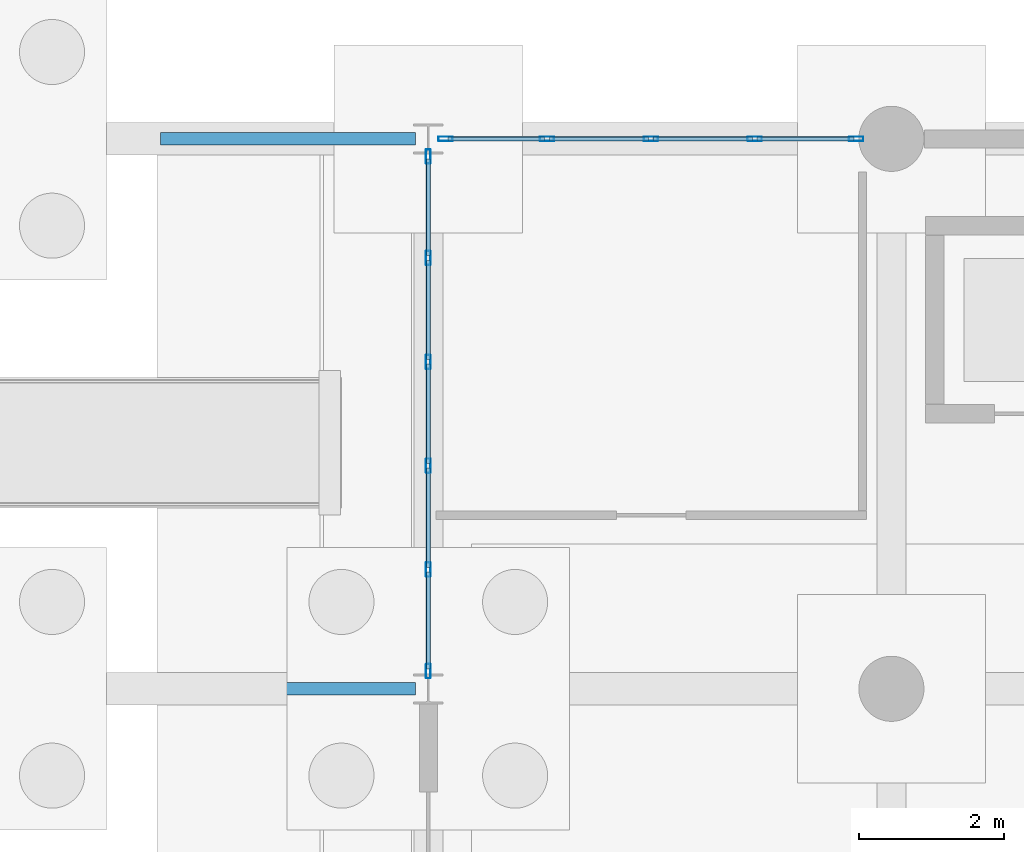
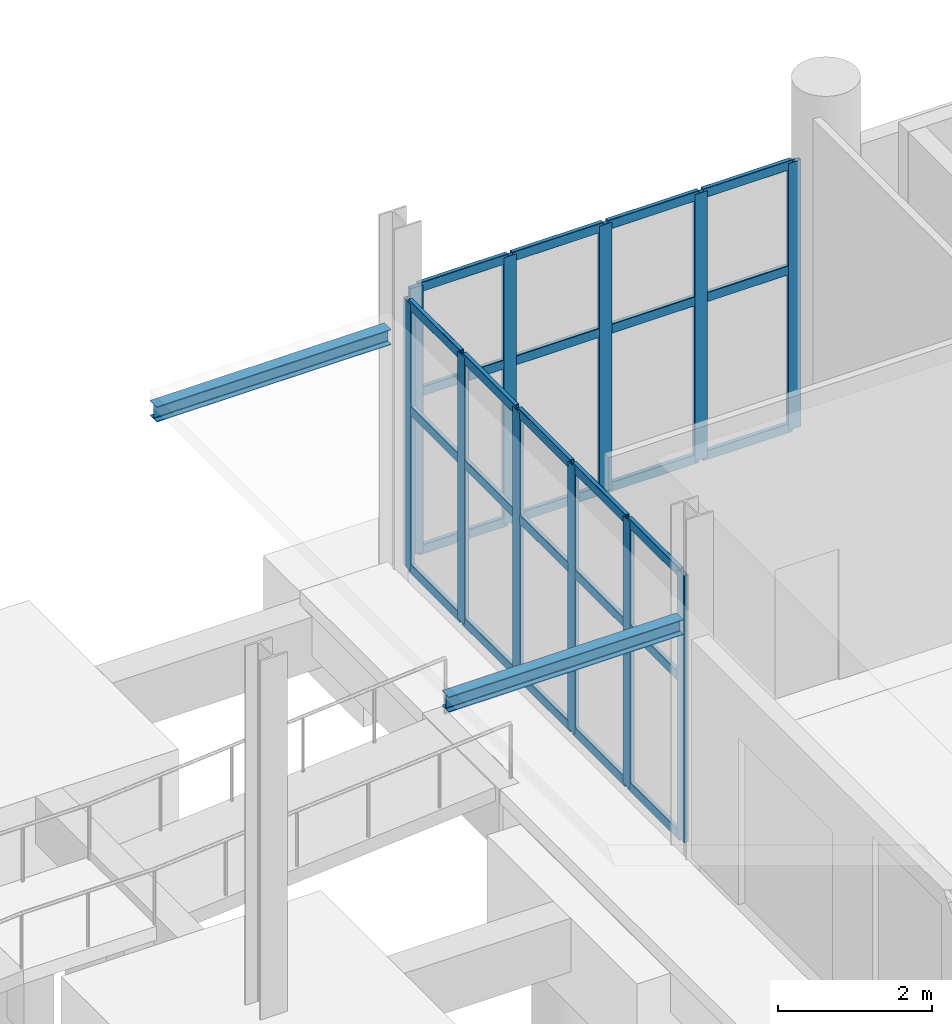
# One storey, part 36 of 95: 38 members, 2 beams, 2 elements without a shape of their own.
"""IFC4 building model written with IfcOpenShell, lengths in metres."""

from ifc_helpers import new_model, si_unit, direction, frame, origin, origin_2d, place, context, subcontext, project, spatial, hollow_rectangle, i_section, extrude, material, material_profile, profile_set, type_object, element, aggregate, save


model = new_model("IFC4")

# Units and contexts
model_context = context("Model", 3, precision=1e-05, world=origin(), true_north=direction((0.0, 1.0)))
body_context = subcontext(model_context, "Body", "Model", "MODEL_VIEW")
ifc_project = project(units=[si_unit("LENGTHUNIT", "METRE"), si_unit("AREAUNIT", "SQUARE_METRE"), si_unit("VOLUMEUNIT", "CUBIC_METRE"), si_unit("PLANEANGLEUNIT", "RADIAN"), si_unit("MASSUNIT", "GRAM", prefix="KILO")], contexts=[model_context])

# Site, building, storey
site_placement = place(None, origin())
site = spatial("IfcSite", under=ifc_project, at=site_placement, CompositionType="ELEMENT")
building_placement = place(site_placement, origin())
building = spatial("IfcBuilding", under=site, at=building_placement, Name="Shengluoqiao Park Theatre", CompositionType="ELEMENT")
storey_placement = place(building_placement, origin())
storey = spatial("IfcBuildingStorey", under=building, at=storey_placement, Name="L00", CompositionType="ELEMENT", Elevation=0.0)

# Curtain wall, members
ifc_material_1 = material(Name="Aluminium 6063-T6", Category="aluminium")
curtain_wall_type = type_object("IfcCurtainWallType", Name="ENV-CW-FOYER", PredefinedType="NOTDEFINED", material=ifc_material_1)
curtain_wall_1_placement = place(storey_placement, origin())
curtain_wall_1 = element("IfcCurtainWall", 1, at=curtain_wall_1_placement, inside=storey, type_object=curtain_wall_type, Name="L00 Curtain Wall CW-L00-0036", PredefinedType="NOTDEFINED")
ifc_material_profile_1 = material_profile(ifc_material_1, hollow_rectangle(XDim=0.06494140625, YDim=0.199951171875, WallThickness=0.0048828125, InnerFilletRadius=0.0048828125, OuterFilletRadius=0.010009765625, at=origin_2d()), Name="ALU MULLION 200x65x5")
ifc_profile_set_1 = profile_set([ifc_material_profile_1], Name="Aluminium 6063-T6")
member_type_1 = type_object("IfcMemberType", Name="ENV-MUL-200", PredefinedType="MULLION", material=ifc_profile_set_1)
member_1_placement = place(storey_placement, frame((12.800048828125, 68.6435546875, 0.0), z_axis=(0.0, 0.0, 1.0), x_axis=(-1.0, 0.0, 0.0)))
member_1 = element("IfcMember", 2, at=member_1_placement, type_object=member_type_1, Name="CW-01 mullion 1", PredefinedType="MULLION", context=body_context, shape_type="SweptSolid", body=[
    extrude(hollow_rectangle(XDim=0.06494140625, YDim=0.199951171875, WallThickness=0.0048828125, InnerFilletRadius=0.0048828125, OuterFilletRadius=0.010009765625, at=origin_2d()), origin(), (0.0, 0.0, 1.0), 4.238037109375),
])
member_2_placement = place(storey_placement, frame((12.800048828125, 70.046630859375, 0.0), z_axis=(0.0, 0.0, 1.0), x_axis=(-1.0, 0.0, 0.0)))
member_2 = element("IfcMember", 3, at=member_2_placement, type_object=member_type_1, Name="CW-01 mullion 2", PredefinedType="MULLION", context=body_context, shape_type="SweptSolid", body=[
    extrude(hollow_rectangle(XDim=0.06494140625, YDim=0.199951171875, WallThickness=0.0048828125, InnerFilletRadius=0.0048828125, OuterFilletRadius=0.010009765625, at=origin_2d()), origin(), (0.0, 0.0, 1.0), 4.238037109375),
])
member_3_placement = place(storey_placement, frame((12.800048828125, 71.482177734375, 0.0), z_axis=(0.0, 0.0, 1.0), x_axis=(-1.0, 0.0, 0.0)))
member_3 = element("IfcMember", 4, at=member_3_placement, type_object=member_type_1, Name="CW-01 mullion 3", PredefinedType="MULLION", context=body_context, shape_type="SweptSolid", body=[
    extrude(hollow_rectangle(XDim=0.06494140625, YDim=0.199951171875, WallThickness=0.0048828125, InnerFilletRadius=0.0048828125, OuterFilletRadius=0.010009765625, at=origin_2d()), origin(), (0.0, 0.0, 1.0), 4.238037109375),
])
member_4_placement = place(storey_placement, frame((12.800048828125, 72.917724609375, 0.0), z_axis=(0.0, 0.0, 1.0), x_axis=(-1.0, 0.0, 0.0)))
member_4 = element("IfcMember", 5, at=member_4_placement, type_object=member_type_1, Name="CW-01 mullion 4", PredefinedType="MULLION", context=body_context, shape_type="SweptSolid", body=[
    extrude(hollow_rectangle(XDim=0.06494140625, YDim=0.199951171875, WallThickness=0.0048828125, InnerFilletRadius=0.0048828125, OuterFilletRadius=0.010009765625, at=origin_2d()), origin(), (0.0, 0.0, 1.0), 4.238037109375),
])
member_5_placement = place(storey_placement, frame((12.800048828125, 74.353515625, 0.0), z_axis=(0.0, 0.0, 1.0), x_axis=(-1.0, 0.0, 0.0)))
member_5 = element("IfcMember", 6, at=member_5_placement, type_object=member_type_1, Name="CW-01 mullion 5", PredefinedType="MULLION", context=body_context, shape_type="SweptSolid", body=[
    extrude(hollow_rectangle(XDim=0.06494140625, YDim=0.199951171875, WallThickness=0.0048828125, InnerFilletRadius=0.0048828125, OuterFilletRadius=0.010009765625, at=origin_2d()), origin(), (0.0, 0.0, 1.0), 4.238037109375),
])
member_6_placement = place(storey_placement, frame((12.800048828125, 75.756591796875, 0.0), z_axis=(0.0, 0.0, 1.0), x_axis=(-1.0, 0.0, 0.0)))
member_6 = element("IfcMember", 7, at=member_6_placement, type_object=member_type_1, Name="CW-01 mullion 6", PredefinedType="MULLION", context=body_context, shape_type="SweptSolid", body=[
    extrude(hollow_rectangle(XDim=0.06494140625, YDim=0.199951171875, WallThickness=0.0048828125, InnerFilletRadius=0.0048828125, OuterFilletRadius=0.010009765625, at=origin_2d()), origin(), (0.0, 0.0, 1.0), 4.238037109375),
])

curtain_wall_2_placement = place(storey_placement, origin())
curtain_wall_2 = element("IfcCurtainWall", 8, at=curtain_wall_2_placement, inside=storey, type_object=curtain_wall_type, Name="L00 Curtain Wall CW-L00-0037", PredefinedType="NOTDEFINED")
member_7_placement = place(storey_placement, frame((13.0390625, 76.0, 0.0), z_axis=(0.0, 0.0, 1.0), x_axis=(0.0, 1.0, 0.0)))
member_7 = element("IfcMember", 9, at=member_7_placement, type_object=member_type_1, Name="CW-01 mullion 1", PredefinedType="MULLION", context=body_context, shape_type="SweptSolid", body=[
    extrude(hollow_rectangle(XDim=0.06494140625, YDim=0.199951171875, WallThickness=0.0048828125, InnerFilletRadius=0.0048828125, OuterFilletRadius=0.010009765625, at=origin_2d()), origin(), (0.0, 0.0, 1.0), 4.238037109375),
])
member_8_placement = place(storey_placement, frame((14.44140625, 76.0, 0.0), z_axis=(0.0, 0.0, 1.0), x_axis=(0.0, 1.0, 0.0)))
member_8 = element("IfcMember", 10, at=member_8_placement, type_object=member_type_1, Name="CW-01 mullion 2", PredefinedType="MULLION", context=body_context, shape_type="SweptSolid", body=[
    extrude(hollow_rectangle(XDim=0.06494140625, YDim=0.199951171875, WallThickness=0.0048828125, InnerFilletRadius=0.0048828125, OuterFilletRadius=0.010009765625, at=origin_2d()), origin(), (0.0, 0.0, 1.0), 4.238037109375),
])
member_9_placement = place(storey_placement, frame((15.876220703125, 76.0, 0.0), z_axis=(0.0, 0.0, 1.0), x_axis=(0.0, 1.0, 0.0)))
member_9 = element("IfcMember", 11, at=member_9_placement, type_object=member_type_1, Name="CW-01 mullion 3", PredefinedType="MULLION", context=body_context, shape_type="SweptSolid", body=[
    extrude(hollow_rectangle(XDim=0.06494140625, YDim=0.199951171875, WallThickness=0.0048828125, InnerFilletRadius=0.0048828125, OuterFilletRadius=0.010009765625, at=origin_2d()), origin(), (0.0, 0.0, 1.0), 4.238037109375),
])
member_10_placement = place(storey_placement, frame((17.31103515625, 76.0, 0.0), z_axis=(0.0, 0.0, 1.0), x_axis=(0.0, 1.0, 0.0)))
member_10 = element("IfcMember", 12, at=member_10_placement, type_object=member_type_1, Name="CW-01 mullion 4", PredefinedType="MULLION", context=body_context, shape_type="SweptSolid", body=[
    extrude(hollow_rectangle(XDim=0.06494140625, YDim=0.199951171875, WallThickness=0.0048828125, InnerFilletRadius=0.0048828125, OuterFilletRadius=0.010009765625, at=origin_2d()), origin(), (0.0, 0.0, 1.0), 4.238037109375),
])
member_11_placement = place(storey_placement, frame((18.71337890625, 76.0, 0.0), z_axis=(0.0, 0.0, 1.0), x_axis=(0.0, 1.0, 0.0)))
member_11 = element("IfcMember", 13, at=member_11_placement, type_object=member_type_1, Name="CW-01 mullion 5", PredefinedType="MULLION", context=body_context, shape_type="SweptSolid", body=[
    extrude(hollow_rectangle(XDim=0.06494140625, YDim=0.199951171875, WallThickness=0.0048828125, InnerFilletRadius=0.0048828125, OuterFilletRadius=0.010009765625, at=origin_2d()), origin(), (0.0, 0.0, 1.0), 4.238037109375),
])

# Member
ifc_material_profile_2 = material_profile(ifc_material_1, hollow_rectangle(XDim=0.06494140625, YDim=0.14990234375, WallThickness=0.00390625, InnerFilletRadius=0.00390625, OuterFilletRadius=0.008056640625, at=origin_2d()), Name="ALU TRANSOM 150x65x4")
ifc_profile_set_2 = profile_set([ifc_material_profile_2], Name="Aluminium 6063-T6")
member_type_2 = type_object("IfcMemberType", Name="ENV-TRN-150", PredefinedType="USERDEFINED", material=ifc_profile_set_2)
member_12_placement = place(storey_placement, frame((12.800048828125, 68.676025390625, 0.032470703125), z_axis=(0.0, 1.0, 0.0), x_axis=(-1.0, 0.0, 0.0)))
member_12 = element("IfcMember", 14, at=member_12_placement, type_object=member_type_2, Name="CW-01 transom 1.1", ObjectType="TRANSOM", PredefinedType="USERDEFINED", context=body_context, shape_type="SweptSolid", body=[
    extrude(hollow_rectangle(XDim=0.06494140625, YDim=0.14990234375, WallThickness=0.00390625, InnerFilletRadius=0.00390625, OuterFilletRadius=0.008056640625, at=origin_2d()), origin(), (0.0, 0.0, 1.0), 1.338134765625),
])

member_13_placement = place(storey_placement, frame((12.800048828125, 68.676025390625, 2.54296875), z_axis=(0.0, 1.0, 0.0), x_axis=(-1.0, 0.0, 0.0)))
member_13 = element("IfcMember", 15, at=member_13_placement, type_object=member_type_2, Name="CW-01 transom 1.2", ObjectType="TRANSOM", PredefinedType="USERDEFINED", context=body_context, shape_type="SweptSolid", body=[
    extrude(hollow_rectangle(XDim=0.06494140625, YDim=0.14990234375, WallThickness=0.00390625, InnerFilletRadius=0.00390625, OuterFilletRadius=0.008056640625, at=origin_2d()), origin(), (0.0, 0.0, 1.0), 1.338134765625),
])

member_14_placement = place(storey_placement, frame((12.800048828125, 68.676025390625, 4.20556640625), z_axis=(0.0, 1.0, 0.0), x_axis=(-1.0, 0.0, 0.0)))
member_14 = element("IfcMember", 16, at=member_14_placement, type_object=member_type_2, Name="CW-01 transom 1.3", ObjectType="TRANSOM", PredefinedType="USERDEFINED", context=body_context, shape_type="SweptSolid", body=[
    extrude(hollow_rectangle(XDim=0.06494140625, YDim=0.14990234375, WallThickness=0.00390625, InnerFilletRadius=0.00390625, OuterFilletRadius=0.008056640625, at=origin_2d()), origin(), (0.0, 0.0, 1.0), 1.338134765625),
])

member_15_placement = place(storey_placement, frame((12.800048828125, 70.0791015625, 0.032470703125), z_axis=(0.0, 1.0, 0.0), x_axis=(-1.0, 0.0, 0.0)))
member_15 = element("IfcMember", 17, at=member_15_placement, type_object=member_type_2, Name="CW-01 transom 2.1", ObjectType="TRANSOM", PredefinedType="USERDEFINED", context=body_context, shape_type="SweptSolid", body=[
    extrude(hollow_rectangle(XDim=0.06494140625, YDim=0.14990234375, WallThickness=0.00390625, InnerFilletRadius=0.00390625, OuterFilletRadius=0.008056640625, at=origin_2d()), origin(), (0.0, 0.0, 1.0), 1.37060546875),
])

member_16_placement = place(storey_placement, frame((12.800048828125, 70.0791015625, 2.54296875), z_axis=(0.0, 1.0, 0.0), x_axis=(-1.0, 0.0, 0.0)))
member_16 = element("IfcMember", 18, at=member_16_placement, type_object=member_type_2, Name="CW-01 transom 2.2", ObjectType="TRANSOM", PredefinedType="USERDEFINED", context=body_context, shape_type="SweptSolid", body=[
    extrude(hollow_rectangle(XDim=0.06494140625, YDim=0.14990234375, WallThickness=0.00390625, InnerFilletRadius=0.00390625, OuterFilletRadius=0.008056640625, at=origin_2d()), origin(), (0.0, 0.0, 1.0), 1.37060546875),
])

member_17_placement = place(storey_placement, frame((12.800048828125, 70.0791015625, 4.20556640625), z_axis=(0.0, 1.0, 0.0), x_axis=(-1.0, 0.0, 0.0)))
member_17 = element("IfcMember", 19, at=member_17_placement, type_object=member_type_2, Name="CW-01 transom 2.3", ObjectType="TRANSOM", PredefinedType="USERDEFINED", context=body_context, shape_type="SweptSolid", body=[
    extrude(hollow_rectangle(XDim=0.06494140625, YDim=0.14990234375, WallThickness=0.00390625, InnerFilletRadius=0.00390625, OuterFilletRadius=0.008056640625, at=origin_2d()), origin(), (0.0, 0.0, 1.0), 1.37060546875),
])

member_18_placement = place(storey_placement, frame((12.800048828125, 71.5146484375, 0.032470703125), z_axis=(0.0, 1.0, 0.0), x_axis=(-1.0, 0.0, 0.0)))
member_18 = element("IfcMember", 20, at=member_18_placement, type_object=member_type_2, Name="CW-01 transom 3.1", ObjectType="TRANSOM", PredefinedType="USERDEFINED", context=body_context, shape_type="SweptSolid", body=[
    extrude(hollow_rectangle(XDim=0.06494140625, YDim=0.14990234375, WallThickness=0.00390625, InnerFilletRadius=0.00390625, OuterFilletRadius=0.008056640625, at=origin_2d()), origin(), (0.0, 0.0, 1.0), 1.37060546875),
])

member_19_placement = place(storey_placement, frame((12.800048828125, 71.5146484375, 2.54296875), z_axis=(0.0, 1.0, 0.0), x_axis=(-1.0, 0.0, 0.0)))
member_19 = element("IfcMember", 21, at=member_19_placement, type_object=member_type_2, Name="CW-01 transom 3.2", ObjectType="TRANSOM", PredefinedType="USERDEFINED", context=body_context, shape_type="SweptSolid", body=[
    extrude(hollow_rectangle(XDim=0.06494140625, YDim=0.14990234375, WallThickness=0.00390625, InnerFilletRadius=0.00390625, OuterFilletRadius=0.008056640625, at=origin_2d()), origin(), (0.0, 0.0, 1.0), 1.37060546875),
])

member_20_placement = place(storey_placement, frame((12.800048828125, 71.5146484375, 4.20556640625), z_axis=(0.0, 1.0, 0.0), x_axis=(-1.0, 0.0, 0.0)))
member_20 = element("IfcMember", 22, at=member_20_placement, type_object=member_type_2, Name="CW-01 transom 3.3", ObjectType="TRANSOM", PredefinedType="USERDEFINED", context=body_context, shape_type="SweptSolid", body=[
    extrude(hollow_rectangle(XDim=0.06494140625, YDim=0.14990234375, WallThickness=0.00390625, InnerFilletRadius=0.00390625, OuterFilletRadius=0.008056640625, at=origin_2d()), origin(), (0.0, 0.0, 1.0), 1.37060546875),
])

member_21_placement = place(storey_placement, frame((12.800048828125, 72.9501953125, 0.032470703125), z_axis=(0.0, 1.0, 0.0), x_axis=(-1.0, 0.0, 0.0)))
member_21 = element("IfcMember", 23, at=member_21_placement, type_object=member_type_2, Name="CW-01 transom 4.1", ObjectType="TRANSOM", PredefinedType="USERDEFINED", context=body_context, shape_type="SweptSolid", body=[
    extrude(hollow_rectangle(XDim=0.06494140625, YDim=0.14990234375, WallThickness=0.00390625, InnerFilletRadius=0.00390625, OuterFilletRadius=0.008056640625, at=origin_2d()), origin(), (0.0, 0.0, 1.0), 1.37060546875),
])

member_22_placement = place(storey_placement, frame((12.800048828125, 72.9501953125, 2.54296875), z_axis=(0.0, 1.0, 0.0), x_axis=(-1.0, 0.0, 0.0)))
member_22 = element("IfcMember", 24, at=member_22_placement, type_object=member_type_2, Name="CW-01 transom 4.2", ObjectType="TRANSOM", PredefinedType="USERDEFINED", context=body_context, shape_type="SweptSolid", body=[
    extrude(hollow_rectangle(XDim=0.06494140625, YDim=0.14990234375, WallThickness=0.00390625, InnerFilletRadius=0.00390625, OuterFilletRadius=0.008056640625, at=origin_2d()), origin(), (0.0, 0.0, 1.0), 1.37060546875),
])

member_23_placement = place(storey_placement, frame((12.800048828125, 72.9501953125, 4.20556640625), z_axis=(0.0, 1.0, 0.0), x_axis=(-1.0, 0.0, 0.0)))
member_23 = element("IfcMember", 25, at=member_23_placement, type_object=member_type_2, Name="CW-01 transom 4.3", ObjectType="TRANSOM", PredefinedType="USERDEFINED", context=body_context, shape_type="SweptSolid", body=[
    extrude(hollow_rectangle(XDim=0.06494140625, YDim=0.14990234375, WallThickness=0.00390625, InnerFilletRadius=0.00390625, OuterFilletRadius=0.008056640625, at=origin_2d()), origin(), (0.0, 0.0, 1.0), 1.37060546875),
])

member_24_placement = place(storey_placement, frame((12.800048828125, 74.385986328125, 0.032470703125), z_axis=(0.0, 1.0, 0.0), x_axis=(-1.0, 0.0, 0.0)))
member_24 = element("IfcMember", 26, at=member_24_placement, type_object=member_type_2, Name="CW-01 transom 5.1", ObjectType="TRANSOM", PredefinedType="USERDEFINED", context=body_context, shape_type="SweptSolid", body=[
    extrude(hollow_rectangle(XDim=0.06494140625, YDim=0.14990234375, WallThickness=0.00390625, InnerFilletRadius=0.00390625, OuterFilletRadius=0.008056640625, at=origin_2d()), origin(), (0.0, 0.0, 1.0), 1.338134765625),
])

member_25_placement = place(storey_placement, frame((12.800048828125, 74.385986328125, 2.54296875), z_axis=(0.0, 1.0, 0.0), x_axis=(-1.0, 0.0, 0.0)))
member_25 = element("IfcMember", 27, at=member_25_placement, type_object=member_type_2, Name="CW-01 transom 5.2", ObjectType="TRANSOM", PredefinedType="USERDEFINED", context=body_context, shape_type="SweptSolid", body=[
    extrude(hollow_rectangle(XDim=0.06494140625, YDim=0.14990234375, WallThickness=0.00390625, InnerFilletRadius=0.00390625, OuterFilletRadius=0.008056640625, at=origin_2d()), origin(), (0.0, 0.0, 1.0), 1.338134765625),
])

member_26_placement = place(storey_placement, frame((12.800048828125, 74.385986328125, 4.20556640625), z_axis=(0.0, 1.0, 0.0), x_axis=(-1.0, 0.0, 0.0)))
member_26 = element("IfcMember", 28, at=member_26_placement, type_object=member_type_2, Name="CW-01 transom 5.3", ObjectType="TRANSOM", PredefinedType="USERDEFINED", context=body_context, shape_type="SweptSolid", body=[
    extrude(hollow_rectangle(XDim=0.06494140625, YDim=0.14990234375, WallThickness=0.00390625, InnerFilletRadius=0.00390625, OuterFilletRadius=0.008056640625, at=origin_2d()), origin(), (0.0, 0.0, 1.0), 1.338134765625),
])

aggregate(curtain_wall_1, [member_1, member_2, member_3, member_4, member_5, member_6, member_12, member_13, member_14, member_15, member_16, member_17, member_18, member_19, member_20, member_21, member_22, member_23, member_24, member_25, member_26])

member_27_placement = place(storey_placement, frame((13.071533203125, 76.0, 0.032470703125), z_axis=(1.0, 0.0, 0.0), x_axis=(0.0, 1.0, 0.0)))
member_27 = element("IfcMember", 29, at=member_27_placement, type_object=member_type_2, Name="CW-01 transom 1.1", ObjectType="TRANSOM", PredefinedType="USERDEFINED", context=body_context, shape_type="SweptSolid", body=[
    extrude(hollow_rectangle(XDim=0.06494140625, YDim=0.14990234375, WallThickness=0.00390625, InnerFilletRadius=0.00390625, OuterFilletRadius=0.008056640625, at=origin_2d()), origin(), (0.0, 0.0, 1.0), 1.33740234375),
])

member_28_placement = place(storey_placement, frame((13.071533203125, 76.0, 2.54296875), z_axis=(1.0, 0.0, 0.0), x_axis=(0.0, 1.0, 0.0)))
member_28 = element("IfcMember", 30, at=member_28_placement, type_object=member_type_2, Name="CW-01 transom 1.2", ObjectType="TRANSOM", PredefinedType="USERDEFINED", context=body_context, shape_type="SweptSolid", body=[
    extrude(hollow_rectangle(XDim=0.06494140625, YDim=0.14990234375, WallThickness=0.00390625, InnerFilletRadius=0.00390625, OuterFilletRadius=0.008056640625, at=origin_2d()), origin(), (0.0, 0.0, 1.0), 1.33740234375),
])

member_29_placement = place(storey_placement, frame((13.071533203125, 76.0, 4.20556640625), z_axis=(1.0, 0.0, 0.0), x_axis=(0.0, 1.0, 0.0)))
member_29 = element("IfcMember", 31, at=member_29_placement, type_object=member_type_2, Name="CW-01 transom 1.3", ObjectType="TRANSOM", PredefinedType="USERDEFINED", context=body_context, shape_type="SweptSolid", body=[
    extrude(hollow_rectangle(XDim=0.06494140625, YDim=0.14990234375, WallThickness=0.00390625, InnerFilletRadius=0.00390625, OuterFilletRadius=0.008056640625, at=origin_2d()), origin(), (0.0, 0.0, 1.0), 1.33740234375),
])

member_30_placement = place(storey_placement, frame((14.473876953125, 76.0, 0.032470703125), z_axis=(1.0, 0.0, 0.0), x_axis=(0.0, 1.0, 0.0)))
member_30 = element("IfcMember", 32, at=member_30_placement, type_object=member_type_2, Name="CW-01 transom 2.1", ObjectType="TRANSOM", PredefinedType="USERDEFINED", context=body_context, shape_type="SweptSolid", body=[
    extrude(hollow_rectangle(XDim=0.06494140625, YDim=0.14990234375, WallThickness=0.00390625, InnerFilletRadius=0.00390625, OuterFilletRadius=0.008056640625, at=origin_2d()), origin(), (0.0, 0.0, 1.0), 1.369873046875),
])

member_31_placement = place(storey_placement, frame((14.473876953125, 76.0, 2.54296875), z_axis=(1.0, 0.0, 0.0), x_axis=(0.0, 1.0, 0.0)))
member_31 = element("IfcMember", 33, at=member_31_placement, type_object=member_type_2, Name="CW-01 transom 2.2", ObjectType="TRANSOM", PredefinedType="USERDEFINED", context=body_context, shape_type="SweptSolid", body=[
    extrude(hollow_rectangle(XDim=0.06494140625, YDim=0.14990234375, WallThickness=0.00390625, InnerFilletRadius=0.00390625, OuterFilletRadius=0.008056640625, at=origin_2d()), origin(), (0.0, 0.0, 1.0), 1.369873046875),
])

member_32_placement = place(storey_placement, frame((14.473876953125, 76.0, 4.20556640625), z_axis=(1.0, 0.0, 0.0), x_axis=(0.0, 1.0, 0.0)))
member_32 = element("IfcMember", 34, at=member_32_placement, type_object=member_type_2, Name="CW-01 transom 2.3", ObjectType="TRANSOM", PredefinedType="USERDEFINED", context=body_context, shape_type="SweptSolid", body=[
    extrude(hollow_rectangle(XDim=0.06494140625, YDim=0.14990234375, WallThickness=0.00390625, InnerFilletRadius=0.00390625, OuterFilletRadius=0.008056640625, at=origin_2d()), origin(), (0.0, 0.0, 1.0), 1.369873046875),
])

member_33_placement = place(storey_placement, frame((15.90869140625, 76.0, 0.032470703125), z_axis=(1.0, 0.0, 0.0), x_axis=(0.0, 1.0, 0.0)))
member_33 = element("IfcMember", 35, at=member_33_placement, type_object=member_type_2, Name="CW-01 transom 3.1", ObjectType="TRANSOM", PredefinedType="USERDEFINED", context=body_context, shape_type="SweptSolid", body=[
    extrude(hollow_rectangle(XDim=0.06494140625, YDim=0.14990234375, WallThickness=0.00390625, InnerFilletRadius=0.00390625, OuterFilletRadius=0.008056640625, at=origin_2d()), origin(), (0.0, 0.0, 1.0), 1.369873046875),
])

member_34_placement = place(storey_placement, frame((15.90869140625, 76.0, 2.54296875), z_axis=(1.0, 0.0, 0.0), x_axis=(0.0, 1.0, 0.0)))
member_34 = element("IfcMember", 36, at=member_34_placement, type_object=member_type_2, Name="CW-01 transom 3.2", ObjectType="TRANSOM", PredefinedType="USERDEFINED", context=body_context, shape_type="SweptSolid", body=[
    extrude(hollow_rectangle(XDim=0.06494140625, YDim=0.14990234375, WallThickness=0.00390625, InnerFilletRadius=0.00390625, OuterFilletRadius=0.008056640625, at=origin_2d()), origin(), (0.0, 0.0, 1.0), 1.369873046875),
])

member_35_placement = place(storey_placement, frame((15.90869140625, 76.0, 4.20556640625), z_axis=(1.0, 0.0, 0.0), x_axis=(0.0, 1.0, 0.0)))
member_35 = element("IfcMember", 37, at=member_35_placement, type_object=member_type_2, Name="CW-01 transom 3.3", ObjectType="TRANSOM", PredefinedType="USERDEFINED", context=body_context, shape_type="SweptSolid", body=[
    extrude(hollow_rectangle(XDim=0.06494140625, YDim=0.14990234375, WallThickness=0.00390625, InnerFilletRadius=0.00390625, OuterFilletRadius=0.008056640625, at=origin_2d()), origin(), (0.0, 0.0, 1.0), 1.369873046875),
])

member_36_placement = place(storey_placement, frame((17.343505859375, 76.0, 0.032470703125), z_axis=(1.0, 0.0, 0.0), x_axis=(0.0, 1.0, 0.0)))
member_36 = element("IfcMember", 38, at=member_36_placement, type_object=member_type_2, Name="CW-01 transom 4.1", ObjectType="TRANSOM", PredefinedType="USERDEFINED", context=body_context, shape_type="SweptSolid", body=[
    extrude(hollow_rectangle(XDim=0.06494140625, YDim=0.14990234375, WallThickness=0.00390625, InnerFilletRadius=0.00390625, OuterFilletRadius=0.008056640625, at=origin_2d()), origin(), (0.0, 0.0, 1.0), 1.33740234375),
])

member_37_placement = place(storey_placement, frame((17.343505859375, 76.0, 2.54296875), z_axis=(1.0, 0.0, 0.0), x_axis=(0.0, 1.0, 0.0)))
member_37 = element("IfcMember", 39, at=member_37_placement, type_object=member_type_2, Name="CW-01 transom 4.2", ObjectType="TRANSOM", PredefinedType="USERDEFINED", context=body_context, shape_type="SweptSolid", body=[
    extrude(hollow_rectangle(XDim=0.06494140625, YDim=0.14990234375, WallThickness=0.00390625, InnerFilletRadius=0.00390625, OuterFilletRadius=0.008056640625, at=origin_2d()), origin(), (0.0, 0.0, 1.0), 1.33740234375),
])

member_38_placement = place(storey_placement, frame((17.343505859375, 76.0, 4.20556640625), z_axis=(1.0, 0.0, 0.0), x_axis=(0.0, 1.0, 0.0)))
member_38 = element("IfcMember", 40, at=member_38_placement, type_object=member_type_2, Name="CW-01 transom 4.3", ObjectType="TRANSOM", PredefinedType="USERDEFINED", context=body_context, shape_type="SweptSolid", body=[
    extrude(hollow_rectangle(XDim=0.06494140625, YDim=0.14990234375, WallThickness=0.00390625, InnerFilletRadius=0.00390625, OuterFilletRadius=0.008056640625, at=origin_2d()), origin(), (0.0, 0.0, 1.0), 1.33740234375),
])

aggregate(curtain_wall_2, [member_7, member_8, member_9, member_10, member_11, member_27, member_28, member_29, member_30, member_31, member_32, member_33, member_34, member_35, member_36, member_37, member_38])

# Beams
ifc_material_2 = material(Name="Steel Q355", Category="steel")
ifc_material_profile_3 = material_profile(ifc_material_2, i_section(OverallWidth=0.175048828125, OverallDepth=0.243896484375, WebThickness=0.007080078125, FlangeThickness=0.010986328125, FilletRadius=0.012939453125, at=origin_2d()), Name="HM 244x175x7x11")
ifc_profile_set_3 = profile_set([ifc_material_profile_3], Name="Steel Q355")
beam_type = type_object("IfcBeamType", Name="STR-BM-G-HM244", PredefinedType="BEAM", material=ifc_profile_set_3)
for number, where, z_axis, x_axis, name in (
    (41, (9.10009765625, 68.39990234375, 3.6201171875), (1.0, 0.0, 0.0), (0.0, 1.0, 0.0), "Entrance Canopy Girder 03"),
    (42, (9.10009765625, 76.0, 3.6201171875), (1.0, 0.0, 0.0), (0.0, 1.0, 0.0), "Entrance Canopy Girder 04"),
):
    element("IfcBeam", number, at=place(storey_placement, frame(where, z_axis=z_axis, x_axis=x_axis)), inside=storey, type_object=beam_type, Name=name, PredefinedType="BEAM", context=body_context, shape_type="SweptSolid", body=[
        extrude(i_section(OverallWidth=0.175048828125, OverallDepth=0.243896484375, WebThickness=0.007080078125, FlangeThickness=0.010986328125, FilletRadius=0.012939453125, at=origin_2d()), origin(), (0.0, 0.0, 1.0), 3.52001953125),
    ])

save(model, "model.ifc")
